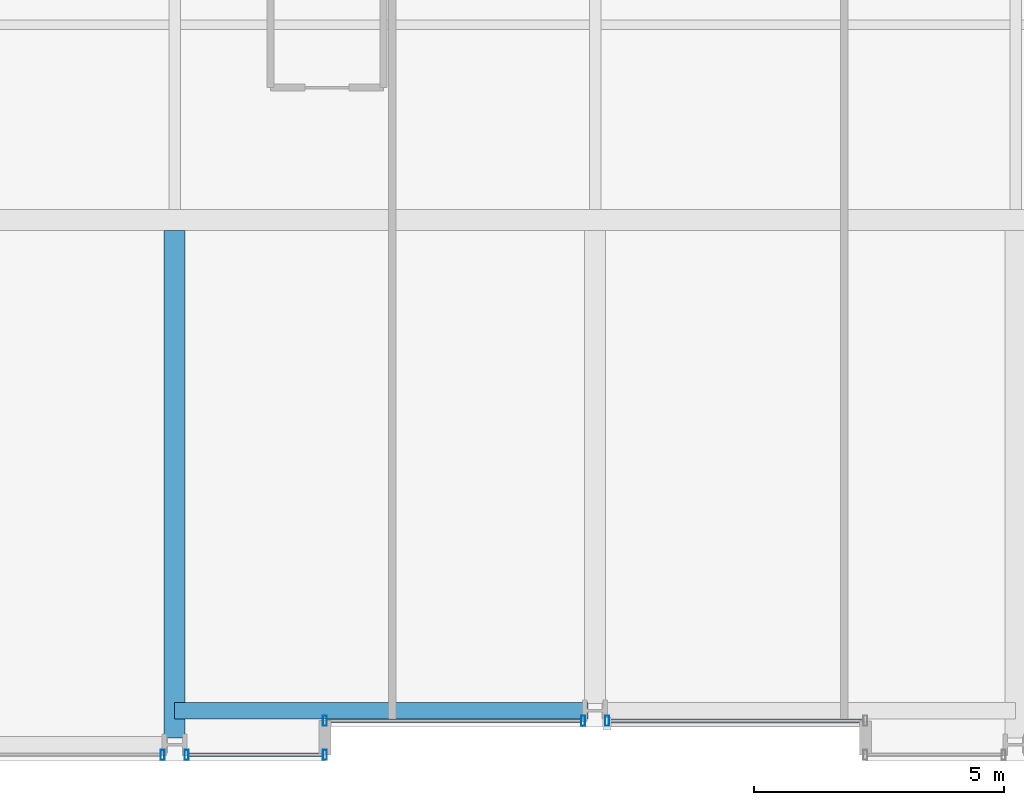
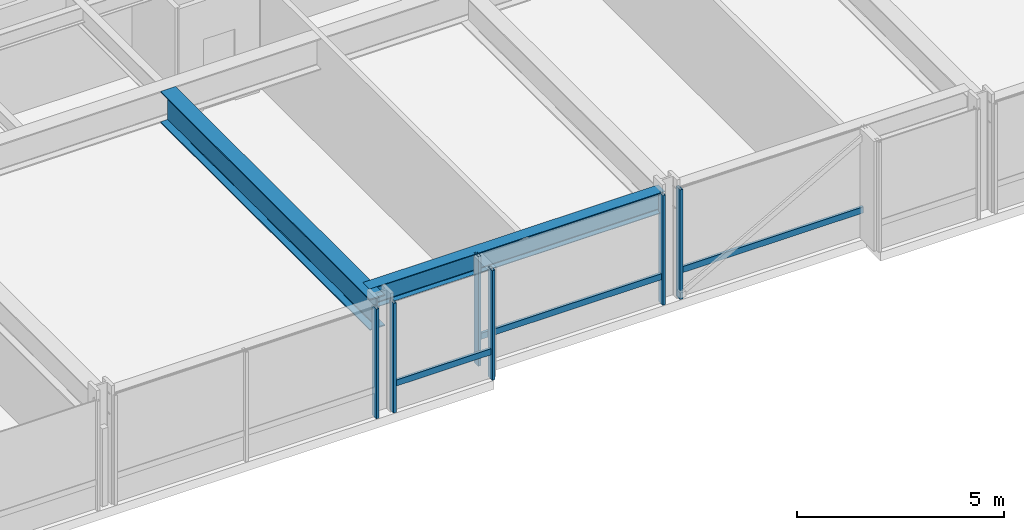
# One storey, part 5 of 38: 9 members, 2 beams, 4 elements without a shape of their own.
"""IFC4 building model written with IfcOpenShell, lengths in metres."""

from ifc_helpers import new_model, si_unit, direction, frame, origin, origin_2d, place, context, subcontext, project, spatial, hollow_rectangle, i_section, extrude, material, layer, layer_set, material_profile, profile_set, type_object, element, aggregate, save


model = new_model("IFC4")

# Units and contexts
model_context = context("Model", 3, precision=1e-05, world=origin(), true_north=direction((0.0, 1.0)))
body_context = subcontext(model_context, "Body", "Model", "MODEL_VIEW")
ifc_project = project(units=[si_unit("LENGTHUNIT", "METRE"), si_unit("AREAUNIT", "SQUARE_METRE"), si_unit("VOLUMEUNIT", "CUBIC_METRE"), si_unit("PLANEANGLEUNIT", "RADIAN"), si_unit("MASSUNIT", "GRAM", prefix="KILO")], contexts=[model_context])

# Site, building, storey
site_placement = place(None, origin())
site = spatial("IfcSite", under=ifc_project, at=site_placement, CompositionType="ELEMENT")
building_placement = place(site_placement, origin())
building = spatial("IfcBuilding", under=site, at=building_placement, Name="Drelvath Grand Hotel", CompositionType="ELEMENT")
storey_placement = place(building_placement, frame((0.0, 0.0, 50.699951171875)))
storey = spatial("IfcBuildingStorey", under=building, at=storey_placement, Name="L11", CompositionType="ELEMENT", Elevation=50.699951171875)

# Curtain wall, member
ifc_material_1 = material(Name="Warm Bronze Anodised Aluminium Frame", Category="aluminium")
ifc_layer = layer(ifc_material_1, 0.199951171875)
ifc_layer_set = layer_set([ifc_layer], Name="Warm Bronze Anodised Aluminium Frame")
curtain_wall_type = type_object("IfcCurtainWallType", Name="Stick Curtain Wall CW-02 Warm Bronze Low-Rise", PredefinedType="NOTDEFINED", material=ifc_layer_set)
curtain_wall_1_placement = place(storey_placement, origin())
curtain_wall_1 = element("IfcCurtainWall", 1, at=curtain_wall_1_placement, inside=storey, type_object=curtain_wall_type, Name="L11 CW-02 Curtain Wall CW02-L11-SM1", PredefinedType="NOTDEFINED")
ifc_material_profile_1 = material_profile(ifc_material_1, hollow_rectangle(XDim=0.074951171875, YDim=0.179931640625, WallThickness=0.0048828125, at=origin_2d()), Name="HSS180X75X5")
ifc_profile_set_1 = profile_set([ifc_material_profile_1], Name="Warm Bronze Anodised Aluminium Frame")
member_type_1 = type_object("IfcMemberType", Name="Curtain Wall Horizontal Transom CW-02 HSS180X75X5", PredefinedType="USERDEFINED", material=ifc_profile_set_1)
member_1_placement = place(storey_placement, frame((-0.281005859375, 0.800048828125, 0.81005859375), z_axis=(-1.0, 0.0, 0.0), x_axis=(0.0, -1.0, 0.0)))
member_1 = element("IfcMember", 2, at=member_1_placement, type_object=member_type_1, Name="CW02-L11-SM1 Sill Transom", ObjectType="TRANSOM", PredefinedType="USERDEFINED", context=body_context, shape_type="SweptSolid", body=[
    extrude(hollow_rectangle(XDim=0.074951171875, YDim=0.179931640625, WallThickness=0.0048828125, at=origin_2d()), origin(), (0.0, 0.0, 1.0), 5.0791015625),
])

curtain_wall_2_placement = place(storey_placement, origin())
curtain_wall_2 = element("IfcCurtainWall", 3, at=curtain_wall_2_placement, inside=storey, type_object=curtain_wall_type, Name="L11 CW-02 Curtain Wall CW02-L11-SM2", PredefinedType="NOTDEFINED")
member_2_placement = place(storey_placement, frame((5.360107421875, 0.800048828125, 0.81005859375), z_axis=(-1.0, 0.0, 0.0), x_axis=(0.0, -1.0, 0.0)))
member_2 = element("IfcMember", 4, at=member_2_placement, type_object=member_type_1, Name="CW02-L11-SM2 Sill Transom", ObjectType="TRANSOM", PredefinedType="USERDEFINED", context=body_context, shape_type="SweptSolid", body=[
    extrude(hollow_rectangle(XDim=0.074951171875, YDim=0.179931640625, WallThickness=0.0048828125, at=origin_2d()), origin(), (0.0, 0.0, 1.0), 5.0791015625),
])

curtain_wall_3_placement = place(storey_placement, origin())
curtain_wall_3 = element("IfcCurtainWall", 5, at=curtain_wall_3_placement, inside=storey, type_object=curtain_wall_type, Name="L11 CW-02 Curtain Wall CW02-L11-SW3", PredefinedType="NOTDEFINED")
member_3_placement = place(storey_placement, frame((-5.43994140625, 0.1201171875, 0.81005859375), z_axis=(-1.0, 0.0, 0.0), x_axis=(0.0, -1.0, 0.0)))
member_3 = element("IfcMember", 6, at=member_3_placement, type_object=member_type_1, Name="CW02-L11-SW3 Sill Transom", ObjectType="TRANSOM", PredefinedType="USERDEFINED", context=body_context, shape_type="SweptSolid", body=[
    extrude(hollow_rectangle(XDim=0.074951171875, YDim=0.179931640625, WallThickness=0.0048828125, at=origin_2d()), origin(), (0.0, 0.0, 1.0), 2.67919921875),
])

# Member
ifc_material_profile_2 = material_profile(ifc_material_1, hollow_rectangle(XDim=0.080078125, YDim=0.199951171875, WallThickness=0.0048828125, at=origin_2d()), Name="HSS200X80X5")
ifc_profile_set_2 = profile_set([ifc_material_profile_2], Name="Warm Bronze Anodised Aluminium Frame")
member_type_2 = type_object("IfcMemberType", Name="Curtain Wall Vertical Mullion CW-02 HSS200X80X5", PredefinedType="MULLION", material=ifc_profile_set_2)
member_4_placement = place(storey_placement, frame((-0.240966796875, 0.800048828125, 0.0), z_axis=(0.0, 0.0, 1.0), x_axis=(1.0, 0.0, 0.0)))
member_4 = element("IfcMember", 7, at=member_4_placement, type_object=member_type_2, Name="CW02-L11-SM1 Mullion 1", PredefinedType="MULLION", context=body_context, shape_type="SweptSolid", body=[
    extrude(hollow_rectangle(XDim=0.080078125, YDim=0.199951171875, WallThickness=0.0048828125, at=origin_2d()), origin(), (0.0, 0.0, 1.0), 3.239990234375),
])

member_5_placement = place(storey_placement, frame((-5.39990234375, 0.800048828125, 0.0), z_axis=(0.0, 0.0, 1.0), x_axis=(1.0, 0.0, 0.0)))
member_5 = element("IfcMember", 8, at=member_5_placement, type_object=member_type_2, Name="CW02-L11-SM1 Mullion 2", PredefinedType="MULLION", context=body_context, shape_type="SweptSolid", body=[
    extrude(hollow_rectangle(XDim=0.080078125, YDim=0.199951171875, WallThickness=0.0048828125, at=origin_2d()), origin(), (0.0, 0.0, 1.0), 3.239990234375),
])

aggregate(curtain_wall_1, [member_4, member_5, member_1])

member_6_placement = place(storey_placement, frame((0.240966796875, 0.800048828125, 0.0), z_axis=(0.0, 0.0, 1.0), x_axis=(1.0, 0.0, 0.0)))
member_6 = element("IfcMember", 9, at=member_6_placement, type_object=member_type_2, Name="CW02-L11-SM2 Mullion 2", PredefinedType="MULLION", context=body_context, shape_type="SweptSolid", body=[
    extrude(hollow_rectangle(XDim=0.080078125, YDim=0.199951171875, WallThickness=0.0048828125, at=origin_2d()), origin(), (0.0, 0.0, 1.0), 3.239990234375),
])

aggregate(curtain_wall_2, [member_6, member_2])

# Curtain wall, member
curtain_wall_4_placement = place(storey_placement, origin())
curtain_wall_4 = element("IfcCurtainWall", 10, at=curtain_wall_4_placement, inside=storey, type_object=curtain_wall_type, Name="L11 CW-02 Curtain Wall CW02-L11-SW2", PredefinedType="NOTDEFINED")
member_7_placement = place(storey_placement, frame((-8.640869140625, 0.1201171875, 0.0), z_axis=(0.0, 0.0, 1.0), x_axis=(1.0, 0.0, 0.0)))
member_7 = element("IfcMember", 11, at=member_7_placement, type_object=member_type_2, Name="CW02-L11-SW2 Mullion 1", PredefinedType="MULLION", context=body_context, shape_type="SweptSolid", body=[
    extrude(hollow_rectangle(XDim=0.080078125, YDim=0.199951171875, WallThickness=0.0048828125, at=origin_2d()), origin(), (0.0, 0.0, 1.0), 3.239990234375),
])
aggregate(curtain_wall_4, [member_7])

# Member
member_8_placement = place(storey_placement, frame((-5.39990234375, 0.1201171875, 0.0), z_axis=(0.0, 0.0, 1.0), x_axis=(1.0, 0.0, 0.0)))
member_8 = element("IfcMember", 12, at=member_8_placement, type_object=member_type_2, Name="CW02-L11-SW3 Mullion 1", PredefinedType="MULLION", context=body_context, shape_type="SweptSolid", body=[
    extrude(hollow_rectangle(XDim=0.080078125, YDim=0.199951171875, WallThickness=0.0048828125, at=origin_2d()), origin(), (0.0, 0.0, 1.0), 3.239990234375),
])

member_9_placement = place(storey_placement, frame((-8.1591796875, 0.1201171875, 0.0), z_axis=(0.0, 0.0, 1.0), x_axis=(1.0, 0.0, 0.0)))
member_9 = element("IfcMember", 13, at=member_9_placement, type_object=member_type_2, Name="CW02-L11-SW3 Mullion 2", PredefinedType="MULLION", context=body_context, shape_type="SweptSolid", body=[
    extrude(hollow_rectangle(XDim=0.080078125, YDim=0.199951171875, WallThickness=0.0048828125, at=origin_2d()), origin(), (0.0, 0.0, 1.0), 3.239990234375),
])

aggregate(curtain_wall_3, [member_8, member_9, member_3])

# Beams
ifc_material_2 = material(Name="Steel ASTM A992 Gr 50", Category="steel")
ifc_material_profile_3 = material_profile(ifc_material_2, i_section(OverallWidth=0.323974609375, OverallDepth=0.611083984375, WebThickness=0.0126953125, FlangeThickness=0.01904296875, FilletRadius=0.02197265625, at=origin_2d()), Name="W24X104")
ifc_profile_set_3 = profile_set([ifc_material_profile_3], Name="Steel ASTM A992 Gr 50")
beam_type_1 = type_object("IfcBeamType", Name="Perimeter Spandrel Beam W24X104", PredefinedType="SPANDREL", material=ifc_profile_set_3)
beam_1_placement = place(storey_placement, frame((-8.39990234375, 1.0, 2.9345703125), z_axis=(1.0, 0.0, 0.0), x_axis=(0.0, 1.0, 0.0)))
element("IfcBeam", 14, at=beam_1_placement, inside=storey, type_object=beam_type_1, Name="L11 Spandrel South Mid W", PredefinedType="SPANDREL", context=body_context, shape_type="SweptSolid", body=[
    extrude(i_section(OverallWidth=0.323974609375, OverallDepth=0.611083984375, WebThickness=0.0126953125, FlangeThickness=0.01904296875, FilletRadius=0.02197265625, at=origin_2d()), origin(), (0.0, 0.0, 1.0), 8.260009765625),
])
ifc_material_profile_4 = material_profile(ifc_material_2, i_section(OverallWidth=0.418212890625, OverallDepth=0.926513671875, WebThickness=0.019287109375, FlangeThickness=0.031982421875, FilletRadius=0.028076171875, at=origin_2d()), Name="W36X231")
ifc_profile_set_4 = profile_set([ifc_material_profile_4], Name="Steel ASTM A992 Gr 50")
beam_type_2 = type_object("IfcBeamType", Name="Primary Floor Girder W36X231", PredefinedType="BEAM", material=ifc_profile_set_4)
beam_2_placement = place(storey_placement, frame((-8.39990234375, 0.4599609375, 2.77685546875), z_axis=(0.0, 1.0, 0.0), x_axis=(-1.0, 0.0, 0.0)))
element("IfcBeam", 15, at=beam_2_placement, inside=storey, type_object=beam_type_2, Name="L11 South Wing Girder 4", PredefinedType="BEAM", context=body_context, shape_type="SweptSolid", body=[
    extrude(i_section(OverallWidth=0.418212890625, OverallDepth=0.926513671875, WebThickness=0.019287109375, FlangeThickness=0.031982421875, FilletRadius=0.028076171875, at=origin_2d()), origin(), (0.0, 0.0, 1.0), 10.130859375),
])

save(model, "model.ifc")
